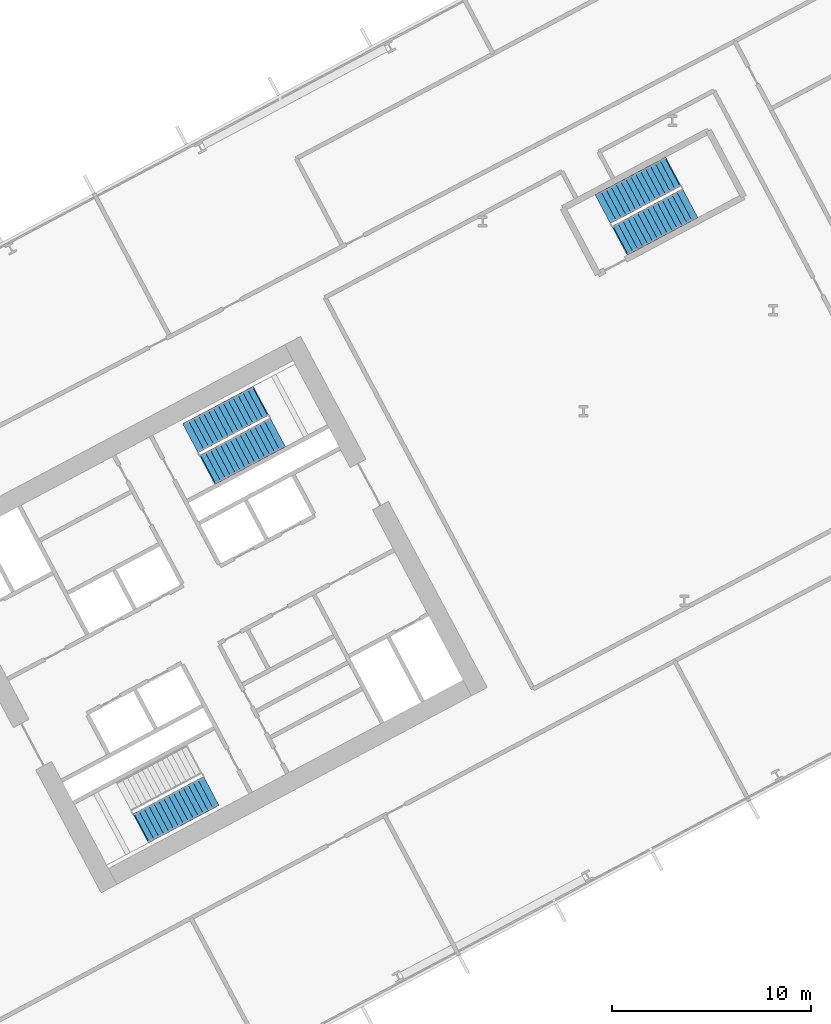
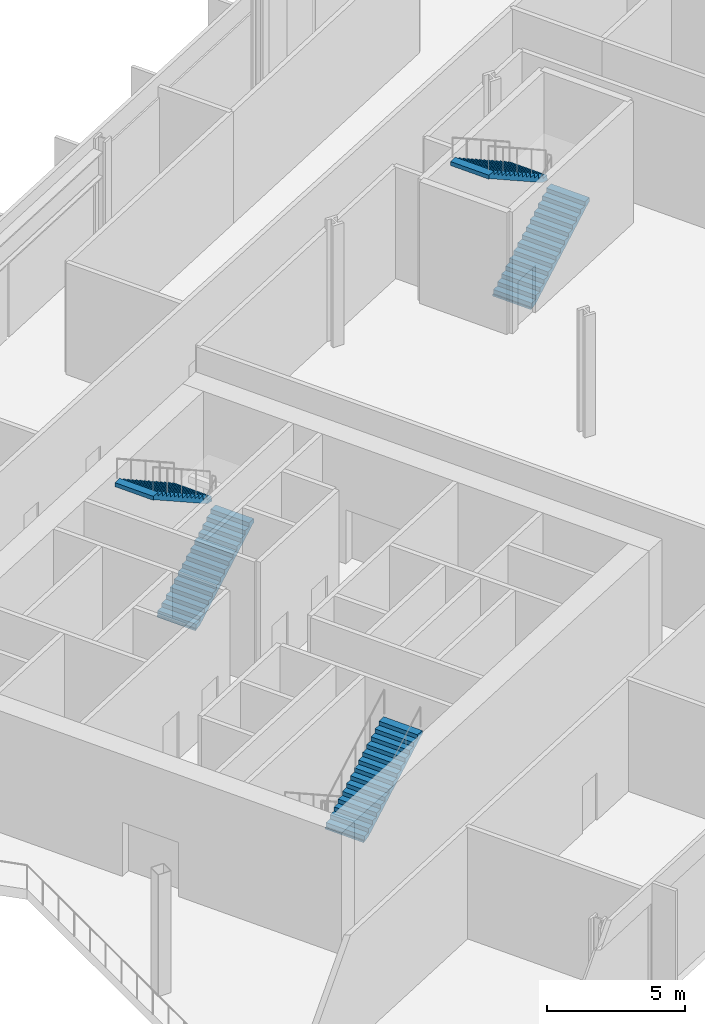
# One storey, part 19 of 32: 5 stair flights, 3 elements without a shape of their own.
"""IFC4 building model written with IfcOpenShell, lengths in metres."""

import ifcopenshell
import ifcopenshell.guid

model = None  # the IFC model being written
_history = None  # IfcOwnerHistory: only IFC2X3 demands one
_inside = {}  # id of a spatial element -> (the spatial element, [elements in it])
_under = {}  # id of a project, library or spatial element -> (it, [spatial elements below it])
_declared = {}  # id of a project -> (the project, [libraries it declares])
_typed = {}  # id of a type object -> (the type object, [elements of that type])
_made_of = {}  # id of a material, layer set ... -> (it, [elements and type objects made of it])


def new_model(schema):
    """Start an empty IFC model of exactly this schema.

    Asked for "IFC4X3", IfcOpenShell would pick the latest addendum, in which some entities
    have other attributes; the version numbers below select the first issue.
    IFC2X3 requires an IfcOwnerHistory on every rooted entity: one is made here for all.
    """
    global model, _history
    if schema == "IFC4X3":
        model = ifcopenshell.file(schema_version=(4, 3, 0, 0))
    else:
        model = ifcopenshell.file(schema=schema)
    _inside.clear()
    _under.clear()
    _declared.clear()
    _typed.clear()
    _made_of.clear()
    _history = None
    if model.schema == "IFC2X3":
        org = make("IfcOrganization", Name="unknown")
        user = make(
            "IfcPersonAndOrganization",
            ThePerson=make("IfcPerson", FamilyName="unknown"),
            TheOrganization=org,
        )
        app = make(
            "IfcApplication",
            ApplicationDeveloper=org,
            Version="unknown",
            ApplicationFullName="unknown",
            ApplicationIdentifier="unknown",
        )
        _history = make(
            "IfcOwnerHistory",
            OwningUser=user,
            OwningApplication=app,
            ChangeAction="ADDED",
            CreationDate=0,
        )
    return model


def make(cls, **values):
    """One entity of the class cls with the attributes given. An attribute that is None is left unset."""
    return model.create_entity(
        cls, **{name: value for name, value in values.items() if value is not None}
    )


def rooted(cls, **values):
    """An entity with a GlobalId (a new one), such as an element, a storey or a relation."""
    return make(cls, GlobalId=ifcopenshell.guid.new(), OwnerHistory=_history, **values)


def si_unit(unit_type, name, prefix=None):
    """IfcSIUnit, for example si_unit("LENGTHUNIT", "METRE", prefix="MILLI")."""
    return make("IfcSIUnit", UnitType=unit_type, Prefix=prefix, Name=name)


def assignment(units):
    """IfcUnitAssignment: the units of a project."""
    return None if units is None else make("IfcUnitAssignment", Units=units)


def point(xyz):
    """IfcCartesianPoint."""
    return None if xyz is None else make("IfcCartesianPoint", Coordinates=xyz)


def direction(xyz):
    """IfcDirection."""
    return None if xyz is None else make("IfcDirection", DirectionRatios=xyz)


def frame(location, z_axis=None, x_axis=None):
    """IfcAxis2Placement3D, a coordinate frame: its origin and axes. An axis left out is left unset."""
    return make(
        "IfcAxis2Placement3D",
        Location=point(location),
        Axis=direction(z_axis),
        RefDirection=direction(x_axis),
    )


def origin():
    """The frame at (0, 0, 0) with its axes left unset."""
    return frame((0.0, 0.0, 0.0))


def place(relative_to, where):
    """IfcLocalPlacement: puts the frame where relative to a parent placement (None: the world)."""
    return make(
        "IfcLocalPlacement", PlacementRelTo=relative_to, RelativePlacement=where
    )


def context(
    kind, dimensions, precision=None, world=None, true_north=None, identifier=None
):
    """IfcGeometricRepresentationContext, for example the 3D "Model" context."""
    return make(
        "IfcGeometricRepresentationContext",
        ContextIdentifier=identifier,
        ContextType=kind,
        CoordinateSpaceDimension=dimensions,
        Precision=precision,
        WorldCoordinateSystem=world,
        TrueNorth=true_north,
    )


def subcontext(parent, identifier, kind, view, scale=None):
    """IfcGeometricRepresentationSubContext, for example "Body" below "Model"."""
    return make(
        "IfcGeometricRepresentationSubContext",
        ContextIdentifier=identifier,
        ContextType=kind,
        ParentContext=parent,
        TargetScale=scale,
        TargetView=view,
    )


def project(units=None, contexts=None):
    """IfcProject with its units and contexts."""
    return rooted(
        "IfcProject",
        Name="project",
        RepresentationContexts=contexts,
        UnitsInContext=assignment(units),
    )


def spatial(cls, under=None, at=None, **own):
    """A site, building, storey or space (cls), placed at a placement, below another one or the project."""
    s = rooted(cls, ObjectPlacement=at, **own)
    if under is not None:
        _under.setdefault(under.id(), (under, []))[1].append(s)
    return s


def polyline(points):
    """IfcPolyline through the points."""
    return make("IfcPolyline", Points=[point(p) for p in points])


def outline(outer, holes=None, kind="AREA"):
    """IfcArbitraryClosedProfileDef: a profile drawn as a closed curve; with holes, ...WithVoids."""
    if holes is None:
        return make("IfcArbitraryClosedProfileDef", ProfileType=kind, OuterCurve=outer)
    return make(
        "IfcArbitraryProfileDefWithVoids",
        ProfileType=kind,
        OuterCurve=outer,
        InnerCurves=holes,
    )


def extrude(swept, where, along, depth):
    """IfcExtrudedAreaSolid: the profile swept, set in the frame where, extruded along a direction by depth."""
    return make(
        "IfcExtrudedAreaSolid",
        SweptArea=swept,
        Position=where,
        ExtrudedDirection=direction(along),
        Depth=depth,
    )


def shape(context_of_items, identifier, shape_type, items):
    """IfcShapeRepresentation: the items that make up one representation, for example the "Body"."""
    return make(
        "IfcShapeRepresentation",
        ContextOfItems=context_of_items,
        RepresentationIdentifier=identifier,
        RepresentationType=shape_type,
        Items=items,
    )


def material(Name=None, Category=None):
    """IfcMaterial."""
    return make("IfcMaterial", Name=Name, Category=Category)


def made_of(thing, what):
    """Note that an element or type object is made of a material, layer set ...; save() writes the relation."""
    if what is not None:
        _made_of.setdefault(what.id(), (what, []))[1].append(thing)
    return thing


def type_object(cls, material=None, **own):
    """A type object (cls), such as IfcWallType, which elements share."""
    return made_of(rooted(cls, **own), material)


def element(
    cls,
    number,
    at=None,
    inside=None,
    cuts=None,
    type_object=None,
    material=None,
    context=None,
    identifier="Body",
    shape_type=None,
    held_by="IfcProductDefinitionShape",
    body=None,
    shapes=None,
    **own,
):
    """One element of the class cls, such as IfcWall. Its Tag is "e" and its number.

    at: its placement. inside: the storey or other place that contains it. cuts: it is an
    opening in that element (IfcRelVoidsElement). A single representation is given by context,
    identifier, shape_type and body (its items); several are given by shapes. held_by: the class
    of the entity that holds the representations. save() writes the other relations.
    """
    e = rooted(cls, Tag="e%d" % number, ObjectPlacement=at, **own)
    if body is not None:
        shapes = [shape(context, identifier, shape_type, body)]
    if shapes is not None:
        e.Representation = make(held_by, Representations=shapes)
    if inside is not None:
        _inside.setdefault(inside.id(), (inside, []))[1].append(e)
    if cuts is not None:
        rooted(
            "IfcRelVoidsElement", RelatingBuildingElement=cuts, RelatedOpeningElement=e
        )
    if type_object is not None:
        _typed.setdefault(type_object.id(), (type_object, []))[1].append(e)
    return made_of(e, material)


def aggregate(whole, parts):
    """IfcRelAggregates: a whole, such as a stair, and the parts it consists of."""
    return rooted("IfcRelAggregates", RelatingObject=whole, RelatedObjects=parts)


def save(model, path):
    """Write the relations noted so far, then the file.

    IfcRelAggregates (storeys below a building ...), IfcRelContainedInSpatialStructure (elements
    in a storey), IfcRelDefinesByType, IfcRelAssociatesMaterial and IfcRelDeclares: one each for
    every whole, place, type object, material and project.
    """
    for whole, parts in _under.values():
        aggregate(whole, parts)
    for where, things in _inside.values():
        rooted(
            "IfcRelContainedInSpatialStructure",
            RelatedElements=things,
            RelatingStructure=where,
        )
    for kind, things in _typed.values():
        rooted("IfcRelDefinesByType", RelatedObjects=things, RelatingType=kind)
    for what, things in _made_of.values():
        rooted("IfcRelAssociatesMaterial", RelatedObjects=things, RelatingMaterial=what)
    for by, libraries in _declared.values():
        rooted("IfcRelDeclares", RelatingContext=by, RelatedDefinitions=libraries)
    model.write(path)


model = new_model("IFC4")

# Units and contexts
model_context = context("Model", 3, precision=1e-05, world=origin(), true_north=direction((0.0, 1.0)))
body_context = subcontext(model_context, "Body", "Model", "MODEL_VIEW")
ifc_project = project(units=[si_unit("LENGTHUNIT", "METRE"), si_unit("AREAUNIT", "SQUARE_METRE"), si_unit("VOLUMEUNIT", "CUBIC_METRE"), si_unit("PLANEANGLEUNIT", "RADIAN"), si_unit("MASSUNIT", "GRAM", prefix="KILO")], contexts=[model_context])

# Site, building, storey
site_placement = place(None, origin())
site = spatial("IfcSite", under=ifc_project, at=site_placement, CompositionType="ELEMENT")
building_placement = place(site_placement, origin())
building = spatial("IfcBuilding", under=site, at=building_placement, Name="Cormorant Relay Tower", CompositionType="ELEMENT")
storey_placement = place(building_placement, frame((0.0, 0.0, 17.60009765625)))
storey = spatial("IfcBuildingStorey", under=building, at=storey_placement, Name="L03", CompositionType="ELEMENT", Elevation=17.60009765625)

# Stair, stair flight
ifc_material_1 = material(Name="Concrete 40 MPa", Category="concrete")
stair_type = type_object("IfcStairType", Name="Exit stair 1500", PredefinedType="HALF_TURN_STAIR", material=ifc_material_1)
stair_1_placement = place(storey_placement, origin())
stair_1 = element("IfcStair", 1, at=stair_1_placement, inside=storey, type_object=stair_type, Name="L03 Stair", PredefinedType="HALF_TURN_STAIR")
ifc_material_2 = material(Name="Concrete 40 MPa", Category="concrete")
stair_flight_type = type_object("IfcStairFlightType", Name="Exit stair flight 1650", PredefinedType="STRAIGHT", material=ifc_material_2)
stair_flight_1_placement = place(storey_placement, frame((20.8583984375, 1.945068359375, 2.699951171875), z_axis=(0.0, 0.0, 1.0), x_axis=(0.882947592859, 0.469471562786, 0.0)))
stair_flight_1 = element("IfcStairFlight", 2, at=stair_flight_1_placement, type_object=stair_flight_type, Name="B1 flight 2", NumberOfRisers=15, NumberOfTreads=14, PredefinedType="STRAIGHT", RiserHeight=0.18, TreadLength=0.28, context=body_context, shape_type="SweptSolid", body=[
    extrude(outline(polyline([(-0.050048828125, -0.080078125), (-0.050048828125, 0.0), (0.0, 0.0), (0.0, 0.179931640625), (0.280029296875, 0.179931640625), (0.280029296875, 0.360107421875), (0.56005859375, 0.360107421875), (0.56005859375, 0.5400390625), (0.840087890625, 0.5400390625), (0.840087890625, 0.719970703125), (1.1201171875, 0.719970703125), (1.1201171875, 0.89990234375), (1.39990234375, 0.89990234375), (1.39990234375, 1.080078125), (1.679931640625, 1.080078125), (1.679931640625, 1.260009765625), (1.9599609375, 1.260009765625), (1.9599609375, 1.43994140625), (2.239990234375, 1.43994140625), (2.239990234375, 1.6201171875), (2.52001953125, 1.6201171875), (2.52001953125, 1.800048828125), (2.800048828125, 1.800048828125), (2.800048828125, 1.97998046875), (3.080078125, 1.97998046875), (3.080078125, 2.159912109375), (3.360107421875, 2.159912109375), (3.360107421875, 2.340087890625), (3.639892578125, 2.340087890625), (3.639892578125, 2.52001953125), (3.919921875, 2.52001953125), (3.969970703125, 2.52001953125), (3.969970703125, 2.341796875), (3.919921875, 2.341796875), (0.277099609375, 0.0), (-0.050048828125, -0.080078125)])), frame((0.0, 0.824951171875, 0.0), z_axis=(0.0, -1.0, 0.0), x_axis=(1.0, 0.0, 0.0)), (0.0, 0.0, 1.0), 1.64990234375),
])
aggregate(stair_1, [stair_flight_1])

# Stair, stair flights
stair_2_placement = place(storey_placement, origin())
stair_2 = element("IfcStair", 3, at=stair_2_placement, inside=storey, type_object=stair_type, Name="L03 Stair", PredefinedType="HALF_TURN_STAIR")
stair_flight_2_placement = place(storey_placement, frame((24.20458984375, 19.976806640625, 0.0), z_axis=(0.0, 0.0, 1.0), x_axis=(0.882947592859, 0.469471562786, 0.0)))
stair_flight_2 = element("IfcStairFlight", 4, at=stair_flight_2_placement, type_object=stair_flight_type, Name="B2 flight 1", NumberOfRisers=15, NumberOfTreads=14, PredefinedType="STRAIGHT", RiserHeight=0.18, TreadLength=0.28, context=body_context, shape_type="SweptSolid", body=[
    extrude(outline(polyline([(-0.050048828125, -0.080078125), (-0.050048828125, 0.0), (0.0, 0.0), (0.0, 0.179931640625), (0.280029296875, 0.179931640625), (0.280029296875, 0.360107421875), (0.56005859375, 0.360107421875), (0.56005859375, 0.5400390625), (0.840087890625, 0.5400390625), (0.840087890625, 0.719970703125), (1.1201171875, 0.719970703125), (1.1201171875, 0.89990234375), (1.39990234375, 0.89990234375), (1.39990234375, 1.080078125), (1.679931640625, 1.080078125), (1.679931640625, 1.260009765625), (1.9599609375, 1.260009765625), (1.9599609375, 1.43994140625), (2.239990234375, 1.43994140625), (2.239990234375, 1.6201171875), (2.52001953125, 1.6201171875), (2.52001953125, 1.800048828125), (2.800048828125, 1.800048828125), (2.800048828125, 1.97998046875), (3.080078125, 1.97998046875), (3.080078125, 2.159912109375), (3.360107421875, 2.159912109375), (3.360107421875, 2.340087890625), (3.639892578125, 2.340087890625), (3.639892578125, 2.52001953125), (3.919921875, 2.52001953125), (3.969970703125, 2.52001953125), (3.969970703125, 2.341796875), (3.919921875, 2.341796875), (0.277099609375, 0.0), (-0.050048828125, -0.080078125)])), frame((0.0, 0.824951171875, 0.0), z_axis=(0.0, -1.0, 0.0), x_axis=(1.0, 0.0, 0.0)), (0.0, 0.0, 1.0), 1.64990234375),
])
stair_flight_3_placement = place(storey_placement, frame((26.82080078125, 23.406494140625, 2.699951171875), z_axis=(0.0, 0.0, 1.0), x_axis=(-0.882947592859, -0.469471562786, 0.0)))
stair_flight_3 = element("IfcStairFlight", 5, at=stair_flight_3_placement, type_object=stair_flight_type, Name="B2 flight 2", NumberOfRisers=15, NumberOfTreads=14, PredefinedType="STRAIGHT", RiserHeight=0.18, TreadLength=0.28, context=body_context, shape_type="SweptSolid", body=[
    extrude(outline(polyline([(-0.050048828125, -0.080078125), (-0.050048828125, 0.0), (0.0, 0.0), (0.0, 0.179931640625), (0.280029296875, 0.179931640625), (0.280029296875, 0.360107421875), (0.56005859375, 0.360107421875), (0.56005859375, 0.5400390625), (0.840087890625, 0.5400390625), (0.840087890625, 0.719970703125), (1.1201171875, 0.719970703125), (1.1201171875, 0.89990234375), (1.39990234375, 0.89990234375), (1.39990234375, 1.080078125), (1.679931640625, 1.080078125), (1.679931640625, 1.260009765625), (1.9599609375, 1.260009765625), (1.9599609375, 1.43994140625), (2.239990234375, 1.43994140625), (2.239990234375, 1.6201171875), (2.52001953125, 1.6201171875), (2.52001953125, 1.800048828125), (2.800048828125, 1.800048828125), (2.800048828125, 1.97998046875), (3.080078125, 1.97998046875), (3.080078125, 2.159912109375), (3.360107421875, 2.159912109375), (3.360107421875, 2.340087890625), (3.639892578125, 2.340087890625), (3.639892578125, 2.52001953125), (3.919921875, 2.52001953125), (3.969970703125, 2.52001953125), (3.969970703125, 2.341796875), (3.919921875, 2.341796875), (0.277099609375, 0.0), (-0.050048828125, -0.080078125)])), frame((0.0, 0.824951171875, 0.0), z_axis=(0.0, -1.0, 0.0), x_axis=(1.0, 0.0, 0.0)), (0.0, 0.0, 1.0), 1.64990234375),
])
aggregate(stair_2, [stair_flight_2, stair_flight_3])

stair_3_placement = place(storey_placement, origin())
stair_3 = element("IfcStair", 6, at=stair_3_placement, inside=storey, type_object=stair_type, Name="L03 Stair", PredefinedType="HALF_TURN_STAIR")
stair_flight_4_placement = place(storey_placement, frame((44.947509765625, 31.502197265625, 0.0), z_axis=(0.0, 0.0, 1.0), x_axis=(0.882947502727, 0.4694717323, 0.0)))
stair_flight_4 = element("IfcStairFlight", 7, at=stair_flight_4_placement, type_object=stair_flight_type, Name="RB1 flight 1", NumberOfRisers=15, NumberOfTreads=14, PredefinedType="STRAIGHT", RiserHeight=0.18, TreadLength=0.28, context=body_context, shape_type="SweptSolid", body=[
    extrude(outline(polyline([(-0.050048828125, -0.080078125), (-0.050048828125, 0.0), (0.0, 0.0), (0.0, 0.179931640625), (0.280029296875, 0.179931640625), (0.280029296875, 0.360107421875), (0.56005859375, 0.360107421875), (0.56005859375, 0.5400390625), (0.840087890625, 0.5400390625), (0.840087890625, 0.719970703125), (1.1201171875, 0.719970703125), (1.1201171875, 0.89990234375), (1.39990234375, 0.89990234375), (1.39990234375, 1.080078125), (1.679931640625, 1.080078125), (1.679931640625, 1.260009765625), (1.9599609375, 1.260009765625), (1.9599609375, 1.43994140625), (2.239990234375, 1.43994140625), (2.239990234375, 1.6201171875), (2.52001953125, 1.6201171875), (2.52001953125, 1.800048828125), (2.800048828125, 1.800048828125), (2.800048828125, 1.97998046875), (3.080078125, 1.97998046875), (3.080078125, 2.159912109375), (3.360107421875, 2.159912109375), (3.360107421875, 2.340087890625), (3.639892578125, 2.340087890625), (3.639892578125, 2.52001953125), (3.919921875, 2.52001953125), (3.969970703125, 2.52001953125), (3.969970703125, 2.341796875), (3.919921875, 2.341796875), (0.277099609375, 0.0), (-0.050048828125, -0.080078125)])), frame((0.0, 0.824951171875, 0.0), z_axis=(0.0, -1.0, 0.0), x_axis=(1.0, 0.0, 0.0)), (0.0, 0.0, 1.0), 1.64990234375),
])
stair_flight_5_placement = place(storey_placement, frame((47.563720703125, 34.931640625, 2.699951171875), z_axis=(0.0, 0.0, 1.0), x_axis=(-0.882947502727, -0.4694717323, 0.0)))
stair_flight_5 = element("IfcStairFlight", 8, at=stair_flight_5_placement, type_object=stair_flight_type, Name="RB1 flight 2", NumberOfRisers=15, NumberOfTreads=14, PredefinedType="STRAIGHT", RiserHeight=0.18, TreadLength=0.28, context=body_context, shape_type="SweptSolid", body=[
    extrude(outline(polyline([(-0.050048828125, -0.080078125), (-0.050048828125, 0.0), (0.0, 0.0), (0.0, 0.179931640625), (0.280029296875, 0.179931640625), (0.280029296875, 0.360107421875), (0.56005859375, 0.360107421875), (0.56005859375, 0.5400390625), (0.840087890625, 0.5400390625), (0.840087890625, 0.719970703125), (1.1201171875, 0.719970703125), (1.1201171875, 0.89990234375), (1.39990234375, 0.89990234375), (1.39990234375, 1.080078125), (1.679931640625, 1.080078125), (1.679931640625, 1.260009765625), (1.9599609375, 1.260009765625), (1.9599609375, 1.43994140625), (2.239990234375, 1.43994140625), (2.239990234375, 1.6201171875), (2.52001953125, 1.6201171875), (2.52001953125, 1.800048828125), (2.800048828125, 1.800048828125), (2.800048828125, 1.97998046875), (3.080078125, 1.97998046875), (3.080078125, 2.159912109375), (3.360107421875, 2.159912109375), (3.360107421875, 2.340087890625), (3.639892578125, 2.340087890625), (3.639892578125, 2.52001953125), (3.919921875, 2.52001953125), (3.969970703125, 2.52001953125), (3.969970703125, 2.341796875), (3.919921875, 2.341796875), (0.277099609375, 0.0), (-0.050048828125, -0.080078125)])), frame((0.0, 0.824951171875, 0.0), z_axis=(0.0, -1.0, 0.0), x_axis=(1.0, 0.0, 0.0)), (0.0, 0.0, 1.0), 1.64990234375),
])
aggregate(stair_3, [stair_flight_4, stair_flight_5])

save(model, "model.ifc")
